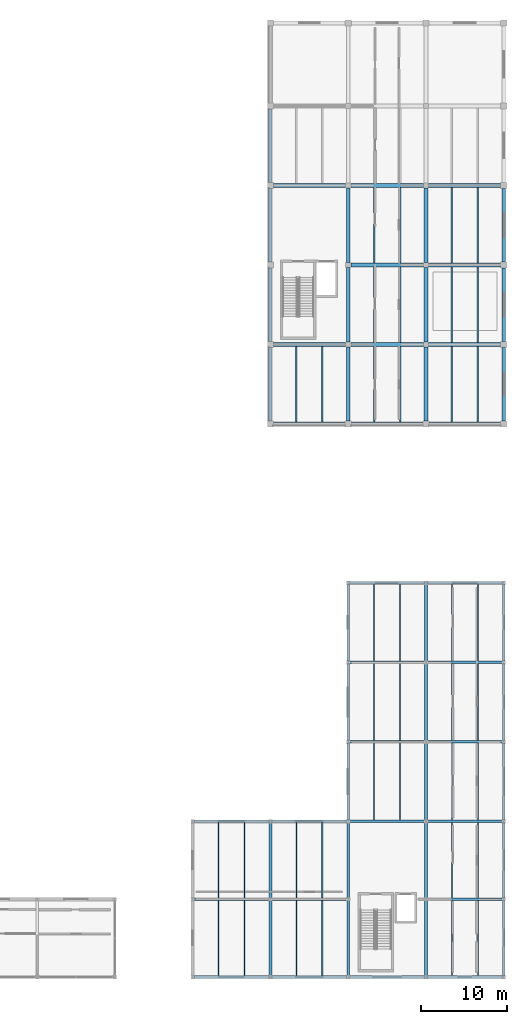
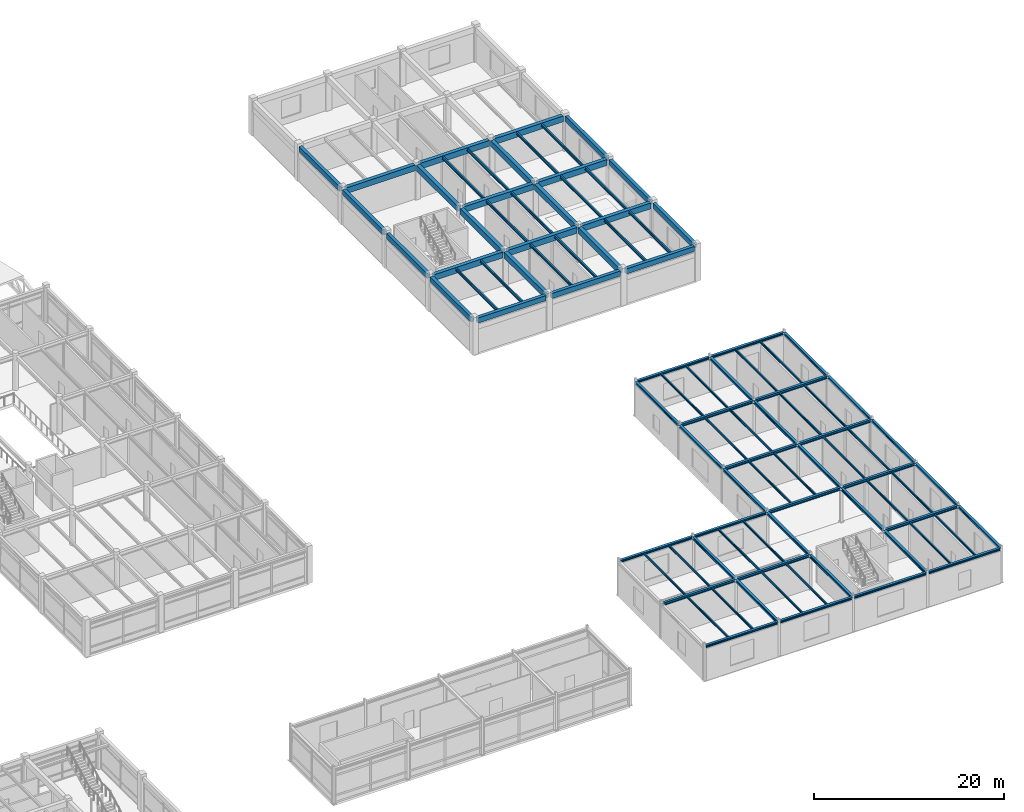
# One storey, part 28 of 61: 96 beams.
"""IFC4 building model written with IfcOpenShell, lengths in metres."""

from ifc_helpers import new_model, si_unit, direction, frame, origin, origin_2d, place, context, subcontext, project, spatial, rectangle, i_section, extrude, material, material_profile, profile_set, type_object, element, save


model = new_model("IFC4")

# Units and contexts
model_context = context("Model", 3, precision=1e-05, world=origin(), true_north=direction((0.0, 1.0)))
body_context = subcontext(model_context, "Body", "Model", "MODEL_VIEW")
ifc_project = project(units=[si_unit("LENGTHUNIT", "METRE"), si_unit("AREAUNIT", "SQUARE_METRE"), si_unit("VOLUMEUNIT", "CUBIC_METRE"), si_unit("PLANEANGLEUNIT", "RADIAN"), si_unit("MASSUNIT", "GRAM", prefix="KILO")], contexts=[model_context])

# Site, building, storey
site_placement = place(None, origin())
site = spatial("IfcSite", under=ifc_project, at=site_placement, CompositionType="ELEMENT")
building_placement = place(site_placement, origin())
building = spatial("IfcBuilding", under=site, at=building_placement, Name="Bozkorgan Art Gallery", CompositionType="ELEMENT")
storey_placement = place(building_placement, frame((0.0, 0.0, 10.199951171875)))
storey = spatial("IfcBuildingStorey", under=building, at=storey_placement, Name="L02", CompositionType="ELEMENT", Elevation=10.199951171875)

# Beams
ifc_material_1 = material(Name="Concrete C35/45", Category="concrete")
ifc_material_profile_1 = material_profile(ifc_material_1, rectangle(XDim=0.449951171875, YDim=0.75, at=origin_2d()), Name="RC 450x750")
ifc_profile_set_1 = profile_set([ifc_material_profile_1], Name="Concrete C35/45")
beam_type_1 = type_object("IfcBeamType", Name="BEAM-BM-27", PredefinedType="BEAM", material=ifc_profile_set_1)
beam_1_placement = place(storey_placement, frame((137.35009765625, 75.199951171875, 4.10498046875), z_axis=(1.0, 0.0, 0.0), x_axis=(0.0, 1.0, 0.0)))
element("IfcBeam", 1, at=beam_1_placement, inside=storey, type_object=beam_type_1, Name="V5 L02 beam X (137-146, 75.2)", PredefinedType="BEAM", context=body_context, shape_type="SweptSolid", body=[
    extrude(rectangle(XDim=0.449951171875, YDim=0.75, at=origin_2d()), origin(), (0.0, 0.0, 1.0), 8.349853515625),
])
beam_2_placement = place(storey_placement, frame((146.300048828125, 75.199951171875, 4.10498046875), z_axis=(1.0, 0.0, 0.0), x_axis=(0.0, 1.0, 0.0)))
element("IfcBeam", 2, at=beam_2_placement, inside=storey, type_object=beam_type_1, Name="V5 L02 beam X (146-155, 75.2)", PredefinedType="BEAM", context=body_context, shape_type="SweptSolid", body=[
    extrude(rectangle(XDim=0.449951171875, YDim=0.75, at=origin_2d()), origin(), (0.0, 0.0, 1.0), 8.39990234375),
])
beam_3_placement = place(storey_placement, frame((155.300048828125, 75.199951171875, 4.10498046875), z_axis=(1.0, 0.0, 0.0), x_axis=(0.0, 1.0, 0.0)))
element("IfcBeam", 3, at=beam_3_placement, inside=storey, type_object=beam_type_1, Name="V5 L02 beam X (155-164, 75.2)", PredefinedType="BEAM", context=body_context, shape_type="SweptSolid", body=[
    extrude(rectangle(XDim=0.449951171875, YDim=0.75, at=origin_2d()), origin(), (0.0, 0.0, 1.0), 8.349853515625),
])
beam_4_placement = place(storey_placement, frame((146.300048828125, 84.39990234375, 4.10498046875), z_axis=(1.0, 0.0, 0.0), x_axis=(0.0, 1.0, 0.0)))
element("IfcBeam", 4, at=beam_4_placement, inside=storey, type_object=beam_type_1, Name="V5 L02 beam X (146-155, 84.4)", PredefinedType="BEAM", context=body_context, shape_type="SweptSolid", body=[
    extrude(rectangle(XDim=0.449951171875, YDim=0.75, at=origin_2d()), origin(), (0.0, 0.0, 1.0), 8.39990234375),
])
for number, where, z_axis, x_axis, name in (
    (5, (155.300048828125, 84.39990234375, 4.10498046875), (1.0, 0.0, 0.0), (0.0, 1.0, 0.0), "V5 L02 beam X (155-164, 84.4)"),
    (6, (137.35009765625, 93.60009765625, 4.10498046875), (1.0, 0.0, 0.0), (0.0, 1.0, 0.0), "V5 L02 beam X (137-146, 93.6)"),
):
    element("IfcBeam", number, at=place(storey_placement, frame(where, z_axis=z_axis, x_axis=x_axis)), inside=storey, type_object=beam_type_1, Name=name, PredefinedType="BEAM", context=body_context, shape_type="SweptSolid", body=[
        extrude(rectangle(XDim=0.449951171875, YDim=0.75, at=origin_2d()), origin(), (0.0, 0.0, 1.0), 8.349853515625),
    ])
beam_5_placement = place(storey_placement, frame((146.300048828125, 93.60009765625, 4.10498046875), z_axis=(1.0, 0.0, 0.0), x_axis=(0.0, 1.0, 0.0)))
element("IfcBeam", 7, at=beam_5_placement, inside=storey, type_object=beam_type_1, Name="V5 L02 beam X (146-155, 93.6)", PredefinedType="BEAM", context=body_context, shape_type="SweptSolid", body=[
    extrude(rectangle(XDim=0.449951171875, YDim=0.75, at=origin_2d()), origin(), (0.0, 0.0, 1.0), 8.39990234375),
])
beam_6_placement = place(storey_placement, frame((155.300048828125, 93.60009765625, 4.10498046875), z_axis=(1.0, 0.0, 0.0), x_axis=(0.0, 1.0, 0.0)))
element("IfcBeam", 8, at=beam_6_placement, inside=storey, type_object=beam_type_1, Name="V5 L02 beam X (155-164, 93.6)", PredefinedType="BEAM", context=body_context, shape_type="SweptSolid", body=[
    extrude(rectangle(XDim=0.449951171875, YDim=0.75, at=origin_2d()), origin(), (0.0, 0.0, 1.0), 8.349853515625),
])
beam_7_placement = place(storey_placement, frame((146.0, 66.35009765625, 4.10498046875), z_axis=(0.0, 1.0, 0.0), x_axis=(-1.0, 0.0, 0.0)))
element("IfcBeam", 9, at=beam_7_placement, inside=storey, type_object=beam_type_1, Name="V5 L02 beam Y (146, 66.0-75.2)", PredefinedType="BEAM", context=body_context, shape_type="SweptSolid", body=[
    extrude(rectangle(XDim=0.449951171875, YDim=0.75, at=origin_2d()), origin(), (0.0, 0.0, 1.0), 8.5498046875),
])
for number, where, z_axis, x_axis, name in (
    (10, (146.0, 75.5, 4.10498046875), (0.0, 1.0, 0.0), (-1.0, 0.0, 0.0), "V5 L02 beam Y (146, 75.2-84.4)"),
    (11, (146.0, 84.699951171875, 4.10498046875), (0.0, 1.0, 0.0), (-1.0, 0.0, 0.0), "V5 L02 beam Y (146, 84.4-93.6)"),
):
    element("IfcBeam", number, at=place(storey_placement, frame(where, z_axis=z_axis, x_axis=x_axis)), inside=storey, type_object=beam_type_1, Name=name, PredefinedType="BEAM", context=body_context, shape_type="SweptSolid", body=[
        extrude(rectangle(XDim=0.449951171875, YDim=0.75, at=origin_2d()), origin(), (0.0, 0.0, 1.0), 8.60009765625),
    ])
beam_8_placement = place(storey_placement, frame((155.0, 66.35009765625, 4.10498046875), z_axis=(0.0, 1.0, 0.0), x_axis=(-1.0, 0.0, 0.0)))
element("IfcBeam", 12, at=beam_8_placement, inside=storey, type_object=beam_type_1, Name="V5 L02 beam Y (155, 66.0-75.2)", PredefinedType="BEAM", context=body_context, shape_type="SweptSolid", body=[
    extrude(rectangle(XDim=0.449951171875, YDim=0.75, at=origin_2d()), origin(), (0.0, 0.0, 1.0), 8.5498046875),
])
for number, where, z_axis, x_axis, name in (
    (13, (155.0, 75.5, 4.10498046875), (0.0, 1.0, 0.0), (-1.0, 0.0, 0.0), "V5 L02 beam Y (155, 75.2-84.4)"),
    (14, (155.0, 84.699951171875, 4.10498046875), (0.0, 1.0, 0.0), (-1.0, 0.0, 0.0), "V5 L02 beam Y (155, 84.4-93.6)"),
):
    element("IfcBeam", number, at=place(storey_placement, frame(where, z_axis=z_axis, x_axis=x_axis)), inside=storey, type_object=beam_type_1, Name=name, PredefinedType="BEAM", context=body_context, shape_type="SweptSolid", body=[
        extrude(rectangle(XDim=0.449951171875, YDim=0.75, at=origin_2d()), origin(), (0.0, 0.0, 1.0), 8.60009765625),
    ])
ifc_material_2 = material(Name="Steel S355J2", Category="steel")
ifc_material_profile_2 = material_profile(ifc_material_2, i_section(OverallWidth=0.300048828125, OverallDepth=0.35009765625, WebThickness=0.010009765625, FlangeThickness=0.017578125, FilletRadius=0.027099609375, at=origin_2d()), Name="HEA 360")
ifc_profile_set_2 = profile_set([ifc_material_profile_2], Name="Steel S355J2")
beam_type_2 = type_object("IfcBeamType", Name="BEAM-BM-86", PredefinedType="BEAM", material=ifc_profile_set_2)
beam_9_placement = place(storey_placement, frame((128.139892578125, 11.0, 4.304931640625), z_axis=(1.0, 0.0, 0.0), x_axis=(0.0, 1.0, 0.0)))
element("IfcBeam", 15, at=beam_9_placement, inside=storey, type_object=beam_type_2, Name="V6 L02 beam X (128-137, 11.0)", PredefinedType="BEAM", context=body_context, shape_type="SweptSolid", body=[
    extrude(i_section(OverallWidth=0.300048828125, OverallDepth=0.35009765625, WebThickness=0.010009765625, FlangeThickness=0.017578125, FilletRadius=0.027099609375, at=origin_2d()), origin(), (0.0, 0.0, 1.0), 8.710205078125),
])
beam_10_placement = place(storey_placement, frame((137.14990234375, 11.0, 4.304931640625), z_axis=(1.0, 0.0, 0.0), x_axis=(0.0, 1.0, 0.0)))
element("IfcBeam", 16, at=beam_10_placement, inside=storey, type_object=beam_type_2, Name="V6 L02 beam X (137-146, 11.0)", PredefinedType="BEAM", context=body_context, shape_type="SweptSolid", body=[
    extrude(i_section(OverallWidth=0.300048828125, OverallDepth=0.35009765625, WebThickness=0.010009765625, FlangeThickness=0.017578125, FilletRadius=0.027099609375, at=origin_2d()), origin(), (0.0, 0.0, 1.0), 8.7001953125),
])
beam_11_placement = place(storey_placement, frame((155.14990234375, 11.0, 4.304931640625), z_axis=(1.0, 0.0, 0.0), x_axis=(0.0, 1.0, 0.0)))
element("IfcBeam", 17, at=beam_11_placement, inside=storey, type_object=beam_type_2, Name="V6 L02 beam X (155-164, 11.0)", PredefinedType="BEAM", context=body_context, shape_type="SweptSolid", body=[
    extrude(i_section(OverallWidth=0.300048828125, OverallDepth=0.35009765625, WebThickness=0.010009765625, FlangeThickness=0.017578125, FilletRadius=0.027099609375, at=origin_2d()), origin(), (0.0, 0.0, 1.0), 8.710205078125),
])
beam_12_placement = place(storey_placement, frame((146.14990234375, 20.0, 4.304931640625), z_axis=(1.0, 0.0, 0.0), x_axis=(0.0, 1.0, 0.0)))
element("IfcBeam", 18, at=beam_12_placement, inside=storey, type_object=beam_type_2, Name="V6 L02 beam X (146-155, 20.0)", PredefinedType="BEAM", context=body_context, shape_type="SweptSolid", body=[
    extrude(i_section(OverallWidth=0.300048828125, OverallDepth=0.35009765625, WebThickness=0.010009765625, FlangeThickness=0.017578125, FilletRadius=0.027099609375, at=origin_2d()), origin(), (0.0, 0.0, 1.0), 8.7001953125),
])
for number, where, z_axis, x_axis, name in (
    (19, (155.14990234375, 20.0, 4.304931640625), (1.0, 0.0, 0.0), (0.0, 1.0, 0.0), "V6 L02 beam X (155-164, 20.0)"),
    (20, (146.139892578125, 29.199951171875, 4.304931640625), (1.0, 0.0, 0.0), (0.0, 1.0, 0.0), "V6 L02 beam X (146-155, 29.2)"),
    (21, (155.14990234375, 29.199951171875, 4.304931640625), (1.0, 0.0, 0.0), (0.0, 1.0, 0.0), "V6 L02 beam X (155-164, 29.2)"),
    (22, (146.139892578125, 38.39990234375, 4.304931640625), (1.0, 0.0, 0.0), (0.0, 1.0, 0.0), "V6 L02 beam X (146-155, 38.4)"),
    (23, (155.14990234375, 38.39990234375, 4.304931640625), (1.0, 0.0, 0.0), (0.0, 1.0, 0.0), "V6 L02 beam X (155-164, 38.4)"),
):
    element("IfcBeam", number, at=place(storey_placement, frame(where, z_axis=z_axis, x_axis=x_axis)), inside=storey, type_object=beam_type_2, Name=name, PredefinedType="BEAM", context=body_context, shape_type="SweptSolid", body=[
        extrude(i_section(OverallWidth=0.300048828125, OverallDepth=0.35009765625, WebThickness=0.010009765625, FlangeThickness=0.017578125, FilletRadius=0.027099609375, at=origin_2d()), origin(), (0.0, 0.0, 1.0), 8.710205078125),
    ])
for number, where, z_axis, x_axis, name in (
    (24, (137.0, 2.139892578125, 4.304931640625), (0.0, 1.0, 0.0), (-1.0, 0.0, 0.0), "V6 L02 beam Y (137, 2.0-11.0)"),
    (25, (137.0, 11.14501953125, 4.304931640625), (0.0, 1.0, 0.0), (-1.0, 0.0, 0.0), "V6 L02 beam Y (137, 11.0-20.0)"),
    (26, (146.0, 2.139892578125, 4.304931640625), (0.0, 1.0, 0.0), (-1.0, 0.0, 0.0), "V6 L02 beam Y (146, 2.0-11.0)"),
):
    element("IfcBeam", number, at=place(storey_placement, frame(where, z_axis=z_axis, x_axis=x_axis)), inside=storey, type_object=beam_type_2, Name=name, PredefinedType="BEAM", context=body_context, shape_type="SweptSolid", body=[
        extrude(i_section(OverallWidth=0.300048828125, OverallDepth=0.35009765625, WebThickness=0.010009765625, FlangeThickness=0.017578125, FilletRadius=0.027099609375, at=origin_2d()), origin(), (0.0, 0.0, 1.0), 8.715087890625),
    ])
beam_13_placement = place(storey_placement, frame((146.0, 11.14501953125, 4.304931640625), z_axis=(0.0, 1.0, 0.0), x_axis=(-1.0, 0.0, 0.0)))
element("IfcBeam", 27, at=beam_13_placement, inside=storey, type_object=beam_type_2, Name="V6 L02 beam Y (146, 11.0-20.0)", PredefinedType="BEAM", context=body_context, shape_type="SweptSolid", body=[
    extrude(i_section(OverallWidth=0.300048828125, OverallDepth=0.35009765625, WebThickness=0.010009765625, FlangeThickness=0.017578125, FilletRadius=0.027099609375, at=origin_2d()), origin(), (0.0, 0.0, 1.0), 8.7099609375),
])
beam_14_placement = place(storey_placement, frame((155.0, 2.139892578125, 4.304931640625), z_axis=(0.0, 1.0, 0.0), x_axis=(-1.0, 0.0, 0.0)))
element("IfcBeam", 28, at=beam_14_placement, inside=storey, type_object=beam_type_2, Name="V6 L02 beam Y (155, 2.0-11.0)", PredefinedType="BEAM", context=body_context, shape_type="SweptSolid", body=[
    extrude(i_section(OverallWidth=0.300048828125, OverallDepth=0.35009765625, WebThickness=0.010009765625, FlangeThickness=0.017578125, FilletRadius=0.027099609375, at=origin_2d()), origin(), (0.0, 0.0, 1.0), 8.715087890625),
])
beam_15_placement = place(storey_placement, frame((155.0, 11.14501953125, 4.304931640625), z_axis=(0.0, 1.0, 0.0), x_axis=(-1.0, 0.0, 0.0)))
element("IfcBeam", 29, at=beam_15_placement, inside=storey, type_object=beam_type_2, Name="V6 L02 beam Y (155, 11.0-20.0)", PredefinedType="BEAM", context=body_context, shape_type="SweptSolid", body=[
    extrude(i_section(OverallWidth=0.300048828125, OverallDepth=0.35009765625, WebThickness=0.010009765625, FlangeThickness=0.017578125, FilletRadius=0.027099609375, at=origin_2d()), origin(), (0.0, 0.0, 1.0), 8.7099609375),
])
for number, where, z_axis, x_axis, name in (
    (30, (155.0, 20.14501953125, 4.304931640625), (0.0, 1.0, 0.0), (-1.0, 0.0, 0.0), "V6 L02 beam Y (155, 20.0-29.2)"),
    (31, (155.0, 29.344970703125, 4.304931640625), (0.0, 1.0, 0.0), (-1.0, 0.0, 0.0), "V6 L02 beam Y (155, 29.2-38.4)"),
):
    element("IfcBeam", number, at=place(storey_placement, frame(where, z_axis=z_axis, x_axis=x_axis)), inside=storey, type_object=beam_type_2, Name=name, PredefinedType="BEAM", context=body_context, shape_type="SweptSolid", body=[
        extrude(i_section(OverallWidth=0.300048828125, OverallDepth=0.35009765625, WebThickness=0.010009765625, FlangeThickness=0.017578125, FilletRadius=0.027099609375, at=origin_2d()), origin(), (0.0, 0.0, 1.0), 8.909912109375),
    ])
beam_16_placement = place(storey_placement, frame((155.0, 38.544921875, 4.304931640625), z_axis=(0.0, 1.0, 0.0), x_axis=(-1.0, 0.0, 0.0)))
element("IfcBeam", 32, at=beam_16_placement, inside=storey, type_object=beam_type_2, Name="V6 L02 beam Y (155, 38.4-47.6)", PredefinedType="BEAM", context=body_context, shape_type="SweptSolid", body=[
    extrude(i_section(OverallWidth=0.300048828125, OverallDepth=0.35009765625, WebThickness=0.010009765625, FlangeThickness=0.017578125, FilletRadius=0.027099609375, at=origin_2d()), origin(), (0.0, 0.0, 1.0), 8.9150390625),
])
ifc_material_profile_3 = material_profile(ifc_material_2, i_section(OverallWidth=0.135009765625, OverallDepth=0.27001953125, WebThickness=0.006591796875, FlangeThickness=0.01025390625, FilletRadius=0.014892578125, at=origin_2d()), Name="IPE 270")
ifc_profile_set_3 = profile_set([ifc_material_profile_3], Name="Steel S355J2")
beam_type_3 = type_object("IfcBeamType", Name="BEAM-JS-05", PredefinedType="JOIST", material=ifc_profile_set_3)
for number, where, z_axis, x_axis, name in (
    (33, (131.0, 2.14990234375, 4.344970703125), (0.0, 1.0, 0.0), (-1.0, 0.0, 0.0), "V6 L02 secondary joist (128-137, 2.0-11.0) #1"),
    (34, (134.0, 2.14990234375, 4.344970703125), (0.0, 1.0, 0.0), (-1.0, 0.0, 0.0), "V6 L02 secondary joist (128-137, 2.0-11.0) #2"),
    (35, (131.0, 11.14990234375, 4.344970703125), (0.0, 1.0, 0.0), (-1.0, 0.0, 0.0), "V6 L02 secondary joist (128-137, 11.0-20.0) #1"),
    (36, (134.0, 11.14990234375, 4.344970703125), (0.0, 1.0, 0.0), (-1.0, 0.0, 0.0), "V6 L02 secondary joist (128-137, 11.0-20.0) #2"),
    (37, (140.0, 2.14990234375, 4.344970703125), (0.0, 1.0, 0.0), (-1.0, 0.0, 0.0), "V6 L02 secondary joist (137-146, 2.0-11.0) #1"),
    (38, (143.0, 2.14990234375, 4.344970703125), (0.0, 1.0, 0.0), (-1.0, 0.0, 0.0), "V6 L02 secondary joist (137-146, 2.0-11.0) #2"),
    (39, (140.0, 11.14990234375, 4.344970703125), (0.0, 1.0, 0.0), (-1.0, 0.0, 0.0), "V6 L02 secondary joist (137-146, 11.0-20.0) #1"),
    (40, (143.0, 11.14990234375, 4.344970703125), (0.0, 1.0, 0.0), (-1.0, 0.0, 0.0), "V6 L02 secondary joist (137-146, 11.0-20.0) #2"),
):
    element("IfcBeam", number, at=place(storey_placement, frame(where, z_axis=z_axis, x_axis=x_axis)), inside=storey, type_object=beam_type_3, Name=name, PredefinedType="JOIST", context=body_context, shape_type="SweptSolid", body=[
        extrude(i_section(OverallWidth=0.135009765625, OverallDepth=0.27001953125, WebThickness=0.006591796875, FlangeThickness=0.01025390625, FilletRadius=0.014892578125, at=origin_2d()), origin(), (0.0, 0.0, 1.0), 8.7001953125),
    ])
for number, where, z_axis, x_axis, name in (
    (41, (149.0, 20.14990234375, 4.344970703125), (0.0, 1.0, 0.0), (-1.0, 0.0, 0.0), "V6 L02 secondary joist (146-155, 20.0-29.2) #1"),
    (42, (152.0, 20.14990234375, 4.344970703125), (0.0, 1.0, 0.0), (-1.0, 0.0, 0.0), "V6 L02 secondary joist (146-155, 20.0-29.2) #2"),
):
    element("IfcBeam", number, at=place(storey_placement, frame(where, z_axis=z_axis, x_axis=x_axis)), inside=storey, type_object=beam_type_3, Name=name, PredefinedType="JOIST", context=body_context, shape_type="SweptSolid", body=[
        extrude(i_section(OverallWidth=0.135009765625, OverallDepth=0.27001953125, WebThickness=0.006591796875, FlangeThickness=0.01025390625, FilletRadius=0.014892578125, at=origin_2d()), origin(), (0.0, 0.0, 1.0), 8.900146484375),
    ])
for number, where, z_axis, x_axis, name in (
    (43, (149.0, 29.35009765625, 4.344970703125), (0.0, 1.0, 0.0), (-1.0, 0.0, 0.0), "V6 L02 secondary joist (146-155, 29.2-38.4) #1"),
    (44, (152.0, 29.35009765625, 4.344970703125), (0.0, 1.0, 0.0), (-1.0, 0.0, 0.0), "V6 L02 secondary joist (146-155, 29.2-38.4) #2"),
    (45, (149.0, 38.550048828125, 4.344970703125), (0.0, 1.0, 0.0), (-1.0, 0.0, 0.0), "V6 L02 secondary joist (146-155, 38.4-47.6) #1"),
    (46, (152.0, 38.550048828125, 4.344970703125), (0.0, 1.0, 0.0), (-1.0, 0.0, 0.0), "V6 L02 secondary joist (146-155, 38.4-47.6) #2"),
):
    element("IfcBeam", number, at=place(storey_placement, frame(where, z_axis=z_axis, x_axis=x_axis)), inside=storey, type_object=beam_type_3, Name=name, PredefinedType="JOIST", context=body_context, shape_type="SweptSolid", body=[
        extrude(i_section(OverallWidth=0.135009765625, OverallDepth=0.27001953125, WebThickness=0.006591796875, FlangeThickness=0.01025390625, FilletRadius=0.014892578125, at=origin_2d()), origin(), (0.0, 0.0, 1.0), 8.89990234375),
    ])
for number, where, z_axis, x_axis, name in (
    (47, (158.0, 2.14990234375, 4.344970703125), (0.0, 1.0, 0.0), (-1.0, 0.0, 0.0), "V6 L02 secondary joist (155-164, 2.0-11.0) #1"),
    (48, (161.0, 2.14990234375, 4.344970703125), (0.0, 1.0, 0.0), (-1.0, 0.0, 0.0), "V6 L02 secondary joist (155-164, 2.0-11.0) #2"),
    (49, (158.0, 11.14990234375, 4.344970703125), (0.0, 1.0, 0.0), (-1.0, 0.0, 0.0), "V6 L02 secondary joist (155-164, 11.0-20.0) #1"),
    (50, (161.0, 11.14990234375, 4.344970703125), (0.0, 1.0, 0.0), (-1.0, 0.0, 0.0), "V6 L02 secondary joist (155-164, 11.0-20.0) #2"),
):
    element("IfcBeam", number, at=place(storey_placement, frame(where, z_axis=z_axis, x_axis=x_axis)), inside=storey, type_object=beam_type_3, Name=name, PredefinedType="JOIST", context=body_context, shape_type="SweptSolid", body=[
        extrude(i_section(OverallWidth=0.135009765625, OverallDepth=0.27001953125, WebThickness=0.006591796875, FlangeThickness=0.01025390625, FilletRadius=0.014892578125, at=origin_2d()), origin(), (0.0, 0.0, 1.0), 8.7001953125),
    ])
for number, where, z_axis, x_axis, name in (
    (51, (158.0, 20.14990234375, 4.344970703125), (0.0, 1.0, 0.0), (-1.0, 0.0, 0.0), "V6 L02 secondary joist (155-164, 20.0-29.2) #1"),
    (52, (161.0, 20.14990234375, 4.344970703125), (0.0, 1.0, 0.0), (-1.0, 0.0, 0.0), "V6 L02 secondary joist (155-164, 20.0-29.2) #2"),
):
    element("IfcBeam", number, at=place(storey_placement, frame(where, z_axis=z_axis, x_axis=x_axis)), inside=storey, type_object=beam_type_3, Name=name, PredefinedType="JOIST", context=body_context, shape_type="SweptSolid", body=[
        extrude(i_section(OverallWidth=0.135009765625, OverallDepth=0.27001953125, WebThickness=0.006591796875, FlangeThickness=0.01025390625, FilletRadius=0.014892578125, at=origin_2d()), origin(), (0.0, 0.0, 1.0), 8.900146484375),
    ])
for number, where, z_axis, x_axis, name in (
    (53, (158.0, 29.35009765625, 4.344970703125), (0.0, 1.0, 0.0), (-1.0, 0.0, 0.0), "V6 L02 secondary joist (155-164, 29.2-38.4) #1"),
    (54, (161.0, 29.35009765625, 4.344970703125), (0.0, 1.0, 0.0), (-1.0, 0.0, 0.0), "V6 L02 secondary joist (155-164, 29.2-38.4) #2"),
    (55, (158.0, 38.550048828125, 4.344970703125), (0.0, 1.0, 0.0), (-1.0, 0.0, 0.0), "V6 L02 secondary joist (155-164, 38.4-47.6) #1"),
    (56, (161.0, 38.550048828125, 4.344970703125), (0.0, 1.0, 0.0), (-1.0, 0.0, 0.0), "V6 L02 secondary joist (155-164, 38.4-47.6) #2"),
):
    element("IfcBeam", number, at=place(storey_placement, frame(where, z_axis=z_axis, x_axis=x_axis)), inside=storey, type_object=beam_type_3, Name=name, PredefinedType="JOIST", context=body_context, shape_type="SweptSolid", body=[
        extrude(i_section(OverallWidth=0.135009765625, OverallDepth=0.27001953125, WebThickness=0.006591796875, FlangeThickness=0.01025390625, FilletRadius=0.014892578125, at=origin_2d()), origin(), (0.0, 0.0, 1.0), 8.89990234375),
    ])
ifc_material_profile_4 = material_profile(ifc_material_2, i_section(OverallWidth=0.169921875, OverallDepth=0.360107421875, WebThickness=0.008056640625, FlangeThickness=0.0126953125, FilletRadius=0.01806640625, at=origin_2d()), Name="IPE 360")
ifc_profile_set_4 = profile_set([ifc_material_profile_4], Name="Steel S355J2")
beam_type_4 = type_object("IfcBeamType", Name="BEAM-JS-98", PredefinedType="JOIST", material=ifc_profile_set_4)
for number, where, z_axis, x_axis, name in (
    (57, (140.0, 66.199951171875, 4.300048828125), (0.0, 1.0, 0.0), (-1.0, 0.0, 0.0), "V5 L02 secondary joist (137-146, 66.0-75.2) #1"),
    (58, (143.0, 66.199951171875, 4.300048828125), (0.0, 1.0, 0.0), (-1.0, 0.0, 0.0), "V5 L02 secondary joist (137-146, 66.0-75.2) #2"),
    (59, (149.0, 66.199951171875, 4.300048828125), (0.0, 1.0, 0.0), (-1.0, 0.0, 0.0), "V5 L02 secondary joist (146-155, 66.0-75.2) #1"),
    (60, (152.0, 66.199951171875, 4.300048828125), (0.0, 1.0, 0.0), (-1.0, 0.0, 0.0), "V5 L02 secondary joist (146-155, 66.0-75.2) #2"),
):
    element("IfcBeam", number, at=place(storey_placement, frame(where, z_axis=z_axis, x_axis=x_axis)), inside=storey, type_object=beam_type_4, Name=name, PredefinedType="JOIST", context=body_context, shape_type="SweptSolid", body=[
        extrude(i_section(OverallWidth=0.169921875, OverallDepth=0.360107421875, WebThickness=0.008056640625, FlangeThickness=0.0126953125, FilletRadius=0.01806640625, at=origin_2d()), origin(), (0.0, 0.0, 1.0), 8.775146484375),
    ])
for number, where, z_axis, x_axis, name in (
    (61, (149.0, 75.425048828125, 4.300048828125), (0.0, 1.0, 0.0), (-1.0, 0.0, 0.0), "V5 L02 secondary joist (146-155, 75.2-84.4) #1"),
    (62, (152.0, 75.425048828125, 4.300048828125), (0.0, 1.0, 0.0), (-1.0, 0.0, 0.0), "V5 L02 secondary joist (146-155, 75.2-84.4) #2"),
    (63, (149.0, 84.625, 4.300048828125), (0.0, 1.0, 0.0), (-1.0, 0.0, 0.0), "V5 L02 secondary joist (146-155, 84.4-93.6) #1"),
    (64, (152.0, 84.625, 4.300048828125), (0.0, 1.0, 0.0), (-1.0, 0.0, 0.0), "V5 L02 secondary joist (146-155, 84.4-93.6) #2"),
):
    element("IfcBeam", number, at=place(storey_placement, frame(where, z_axis=z_axis, x_axis=x_axis)), inside=storey, type_object=beam_type_4, Name=name, PredefinedType="JOIST", context=body_context, shape_type="SweptSolid", body=[
        extrude(i_section(OverallWidth=0.169921875, OverallDepth=0.360107421875, WebThickness=0.008056640625, FlangeThickness=0.0126953125, FilletRadius=0.01806640625, at=origin_2d()), origin(), (0.0, 0.0, 1.0), 8.75),
    ])
for number, where, z_axis, x_axis, name in (
    (65, (158.0, 66.199951171875, 4.300048828125), (0.0, 1.0, 0.0), (-1.0, 0.0, 0.0), "V5 L02 secondary joist (155-164, 66.0-75.2) #1"),
    (66, (161.0, 66.199951171875, 4.300048828125), (0.0, 1.0, 0.0), (-1.0, 0.0, 0.0), "V5 L02 secondary joist (155-164, 66.0-75.2) #2"),
):
    element("IfcBeam", number, at=place(storey_placement, frame(where, z_axis=z_axis, x_axis=x_axis)), inside=storey, type_object=beam_type_4, Name=name, PredefinedType="JOIST", context=body_context, shape_type="SweptSolid", body=[
        extrude(i_section(OverallWidth=0.169921875, OverallDepth=0.360107421875, WebThickness=0.008056640625, FlangeThickness=0.0126953125, FilletRadius=0.01806640625, at=origin_2d()), origin(), (0.0, 0.0, 1.0), 8.775146484375),
    ])
for number, where, z_axis, x_axis, name in (
    (67, (158.0, 75.425048828125, 4.300048828125), (0.0, 1.0, 0.0), (-1.0, 0.0, 0.0), "V5 L02 secondary joist (155-164, 75.2-84.4) #1"),
    (68, (161.0, 75.425048828125, 4.300048828125), (0.0, 1.0, 0.0), (-1.0, 0.0, 0.0), "V5 L02 secondary joist (155-164, 75.2-84.4) #2"),
    (69, (158.0, 84.625, 4.300048828125), (0.0, 1.0, 0.0), (-1.0, 0.0, 0.0), "V5 L02 secondary joist (155-164, 84.4-93.6) #1"),
    (70, (161.0, 84.625, 4.300048828125), (0.0, 1.0, 0.0), (-1.0, 0.0, 0.0), "V5 L02 secondary joist (155-164, 84.4-93.6) #2"),
):
    element("IfcBeam", number, at=place(storey_placement, frame(where, z_axis=z_axis, x_axis=x_axis)), inside=storey, type_object=beam_type_4, Name=name, PredefinedType="JOIST", context=body_context, shape_type="SweptSolid", body=[
        extrude(i_section(OverallWidth=0.169921875, OverallDepth=0.360107421875, WebThickness=0.008056640625, FlangeThickness=0.0126953125, FilletRadius=0.01806640625, at=origin_2d()), origin(), (0.0, 0.0, 1.0), 8.75),
    ])
ifc_material_profile_5 = material_profile(ifc_material_1, rectangle(XDim=0.39990234375, YDim=0.64990234375, at=origin_2d()), Name="RC 400x650")
ifc_profile_set_5 = profile_set([ifc_material_profile_5], Name="Concrete C35/45")
beam_type_5 = type_object("IfcBeamType", Name="BEAM-SP-69", PredefinedType="SPANDREL", material=ifc_profile_set_5)
for number, where, z_axis, x_axis, name in (
    (71, (137.35009765625, 66.0, 4.155029296875), (1.0, 0.0, 0.0), (0.0, 1.0, 0.0), "V5 L02 spandrel X (137-146, 66.0)"),
    (72, (146.35009765625, 66.0, 4.155029296875), (1.0, 0.0, 0.0), (0.0, 1.0, 0.0), "V5 L02 spandrel X (146-155, 66.0)"),
    (73, (155.35009765625, 66.0, 4.155029296875), (1.0, 0.0, 0.0), (0.0, 1.0, 0.0), "V5 L02 spandrel X (155-164, 66.0)"),
):
    element("IfcBeam", number, at=place(storey_placement, frame(where, z_axis=z_axis, x_axis=x_axis)), inside=storey, type_object=beam_type_5, Name=name, PredefinedType="SPANDREL", context=body_context, shape_type="SweptSolid", body=[
        extrude(rectangle(XDim=0.39990234375, YDim=0.64990234375, at=origin_2d()), origin(), (0.0, 0.0, 1.0), 8.2998046875),
    ])
for number, where, z_axis, x_axis, name in (
    (74, (137.0, 66.35009765625, 4.155029296875), (0.0, 1.0, 0.0), (-1.0, 0.0, 0.0), "V5 L02 spandrel Y (137, 66.0-75.2)"),
    (75, (137.0, 75.550048828125, 4.155029296875), (0.0, 1.0, 0.0), (-1.0, 0.0, 0.0), "V5 L02 spandrel Y (137, 75.2-84.4)"),
    (76, (137.0, 84.75, 4.155029296875), (0.0, 1.0, 0.0), (-1.0, 0.0, 0.0), "V5 L02 spandrel Y (137, 84.4-93.6)"),
    (77, (137.0, 93.949951171875, 4.155029296875), (0.0, 1.0, 0.0), (-1.0, 0.0, 0.0), "V5 L02 spandrel Y (137, 93.6-102.8)"),
    (78, (164.0, 66.35009765625, 4.155029296875), (0.0, 1.0, 0.0), (-1.0, 0.0, 0.0), "V5 L02 spandrel Y (164, 66.0-75.2)"),
    (79, (164.0, 75.550048828125, 4.155029296875), (0.0, 1.0, 0.0), (-1.0, 0.0, 0.0), "V5 L02 spandrel Y (164, 75.2-84.4)"),
    (80, (164.0, 84.75, 4.155029296875), (0.0, 1.0, 0.0), (-1.0, 0.0, 0.0), "V5 L02 spandrel Y (164, 84.4-93.6)"),
):
    element("IfcBeam", number, at=place(storey_placement, frame(where, z_axis=z_axis, x_axis=x_axis)), inside=storey, type_object=beam_type_5, Name=name, PredefinedType="SPANDREL", context=body_context, shape_type="SweptSolid", body=[
        extrude(rectangle(XDim=0.39990234375, YDim=0.64990234375, at=origin_2d()), origin(), (0.0, 0.0, 1.0), 8.5),
    ])
ifc_material_profile_6 = material_profile(ifc_material_2, i_section(OverallWidth=0.300048828125, OverallDepth=0.2900390625, WebThickness=0.008544921875, FlangeThickness=0.013916015625, FilletRadius=0.027099609375, at=origin_2d()), Name="HEA 300")
ifc_profile_set_6 = profile_set([ifc_material_profile_6], Name="Steel S355J2")
beam_type_6 = type_object("IfcBeamType", Name="BEAM-SP-84", PredefinedType="SPANDREL", material=ifc_profile_set_6)
for number, where, z_axis, x_axis, name in (
    (81, (128.139892578125, 2.0, 4.3349609375), (1.0, 0.0, 0.0), (0.0, 1.0, 0.0), "V6 L02 spandrel X (128-137, 2.0)"),
    (82, (137.139892578125, 2.0, 4.3349609375), (1.0, 0.0, 0.0), (0.0, 1.0, 0.0), "V6 L02 spandrel X (137-146, 2.0)"),
    (83, (146.139892578125, 2.0, 4.3349609375), (1.0, 0.0, 0.0), (0.0, 1.0, 0.0), "V6 L02 spandrel X (146-155, 2.0)"),
    (84, (155.139892578125, 2.0, 4.3349609375), (1.0, 0.0, 0.0), (0.0, 1.0, 0.0), "V6 L02 spandrel X (155-164, 2.0)"),
    (85, (128.139892578125, 20.0, 4.3349609375), (1.0, 0.0, 0.0), (0.0, 1.0, 0.0), "V6 L02 spandrel X (128-137, 20.0)"),
):
    element("IfcBeam", number, at=place(storey_placement, frame(where, z_axis=z_axis, x_axis=x_axis)), inside=storey, type_object=beam_type_6, Name=name, PredefinedType="SPANDREL", context=body_context, shape_type="SweptSolid", body=[
        extrude(i_section(OverallWidth=0.300048828125, OverallDepth=0.2900390625, WebThickness=0.008544921875, FlangeThickness=0.013916015625, FilletRadius=0.027099609375, at=origin_2d()), origin(), (0.0, 0.0, 1.0), 8.72021484375),
    ])
beam_17_placement = place(storey_placement, frame((137.139892578125, 20.0, 4.3349609375), z_axis=(1.0, 0.0, 0.0), x_axis=(0.0, 1.0, 0.0)))
element("IfcBeam", 86, at=beam_17_placement, inside=storey, type_object=beam_type_6, Name="V6 L02 spandrel X (137-146, 20.0)", PredefinedType="SPANDREL", context=body_context, shape_type="SweptSolid", body=[
    extrude(i_section(OverallWidth=0.300048828125, OverallDepth=0.2900390625, WebThickness=0.008544921875, FlangeThickness=0.013916015625, FilletRadius=0.027099609375, at=origin_2d()), origin(), (0.0, 0.0, 1.0), 8.710205078125),
])
for number, where, z_axis, x_axis, name in (
    (87, (146.139892578125, 47.60009765625, 4.3349609375), (1.0, 0.0, 0.0), (0.0, 1.0, 0.0), "V6 L02 spandrel X (146-155, 47.6)"),
    (88, (155.139892578125, 47.60009765625, 4.3349609375), (1.0, 0.0, 0.0), (0.0, 1.0, 0.0), "V6 L02 spandrel X (155-164, 47.6)"),
):
    element("IfcBeam", number, at=place(storey_placement, frame(where, z_axis=z_axis, x_axis=x_axis)), inside=storey, type_object=beam_type_6, Name=name, PredefinedType="SPANDREL", context=body_context, shape_type="SweptSolid", body=[
        extrude(i_section(OverallWidth=0.300048828125, OverallDepth=0.2900390625, WebThickness=0.008544921875, FlangeThickness=0.013916015625, FilletRadius=0.027099609375, at=origin_2d()), origin(), (0.0, 0.0, 1.0), 8.72021484375),
    ])
beam_18_placement = place(storey_placement, frame((146.0, 20.14501953125, 4.3349609375), z_axis=(0.0, 1.0, 0.0), x_axis=(-1.0, 0.0, 0.0)))
element("IfcBeam", 89, at=beam_18_placement, inside=storey, type_object=beam_type_6, Name="V6 L02 spandrel Y (146, 20.0-29.2)", PredefinedType="SPANDREL", context=body_context, shape_type="SweptSolid", body=[
    extrude(i_section(OverallWidth=0.300048828125, OverallDepth=0.2900390625, WebThickness=0.008544921875, FlangeThickness=0.013916015625, FilletRadius=0.027099609375, at=origin_2d()), origin(), (0.0, 0.0, 1.0), 8.9150390625),
])
for number, where, z_axis, x_axis, name in (
    (90, (146.0, 29.340087890625, 4.3349609375), (0.0, 1.0, 0.0), (-1.0, 0.0, 0.0), "V6 L02 spandrel Y (146, 29.2-38.4)"),
    (91, (146.0, 38.5400390625, 4.3349609375), (0.0, 1.0, 0.0), (-1.0, 0.0, 0.0), "V6 L02 spandrel Y (146, 38.4-47.6)"),
):
    element("IfcBeam", number, at=place(storey_placement, frame(where, z_axis=z_axis, x_axis=x_axis)), inside=storey, type_object=beam_type_6, Name=name, PredefinedType="SPANDREL", context=body_context, shape_type="SweptSolid", body=[
        extrude(i_section(OverallWidth=0.300048828125, OverallDepth=0.2900390625, WebThickness=0.008544921875, FlangeThickness=0.013916015625, FilletRadius=0.027099609375, at=origin_2d()), origin(), (0.0, 0.0, 1.0), 8.919921875),
    ])
for number, where, z_axis, x_axis, name in (
    (92, (164.0, 2.139892578125, 4.3349609375), (0.0, 1.0, 0.0), (-1.0, 0.0, 0.0), "V6 L02 spandrel Y (164, 2.0-11.0)"),
    (93, (164.0, 11.139892578125, 4.3349609375), (0.0, 1.0, 0.0), (-1.0, 0.0, 0.0), "V6 L02 spandrel Y (164, 11.0-20.0)"),
):
    element("IfcBeam", number, at=place(storey_placement, frame(where, z_axis=z_axis, x_axis=x_axis)), inside=storey, type_object=beam_type_6, Name=name, PredefinedType="SPANDREL", context=body_context, shape_type="SweptSolid", body=[
        extrude(i_section(OverallWidth=0.300048828125, OverallDepth=0.2900390625, WebThickness=0.008544921875, FlangeThickness=0.013916015625, FilletRadius=0.027099609375, at=origin_2d()), origin(), (0.0, 0.0, 1.0), 8.72021484375),
    ])
beam_19_placement = place(storey_placement, frame((164.0, 20.139892578125, 4.3349609375), z_axis=(0.0, 1.0, 0.0), x_axis=(-1.0, 0.0, 0.0)))
element("IfcBeam", 94, at=beam_19_placement, inside=storey, type_object=beam_type_6, Name="V6 L02 spandrel Y (164, 20.0-29.2)", PredefinedType="SPANDREL", context=body_context, shape_type="SweptSolid", body=[
    extrude(i_section(OverallWidth=0.300048828125, OverallDepth=0.2900390625, WebThickness=0.008544921875, FlangeThickness=0.013916015625, FilletRadius=0.027099609375, at=origin_2d()), origin(), (0.0, 0.0, 1.0), 8.920166015625),
])
for number, where, z_axis, x_axis, name in (
    (95, (164.0, 29.340087890625, 4.3349609375), (0.0, 1.0, 0.0), (-1.0, 0.0, 0.0), "V6 L02 spandrel Y (164, 29.2-38.4)"),
    (96, (164.0, 38.5400390625, 4.3349609375), (0.0, 1.0, 0.0), (-1.0, 0.0, 0.0), "V6 L02 spandrel Y (164, 38.4-47.6)"),
):
    element("IfcBeam", number, at=place(storey_placement, frame(where, z_axis=z_axis, x_axis=x_axis)), inside=storey, type_object=beam_type_6, Name=name, PredefinedType="SPANDREL", context=body_context, shape_type="SweptSolid", body=[
        extrude(i_section(OverallWidth=0.300048828125, OverallDepth=0.2900390625, WebThickness=0.008544921875, FlangeThickness=0.013916015625, FilletRadius=0.027099609375, at=origin_2d()), origin(), (0.0, 0.0, 1.0), 8.919921875),
    ])

save(model, "model.ifc")
